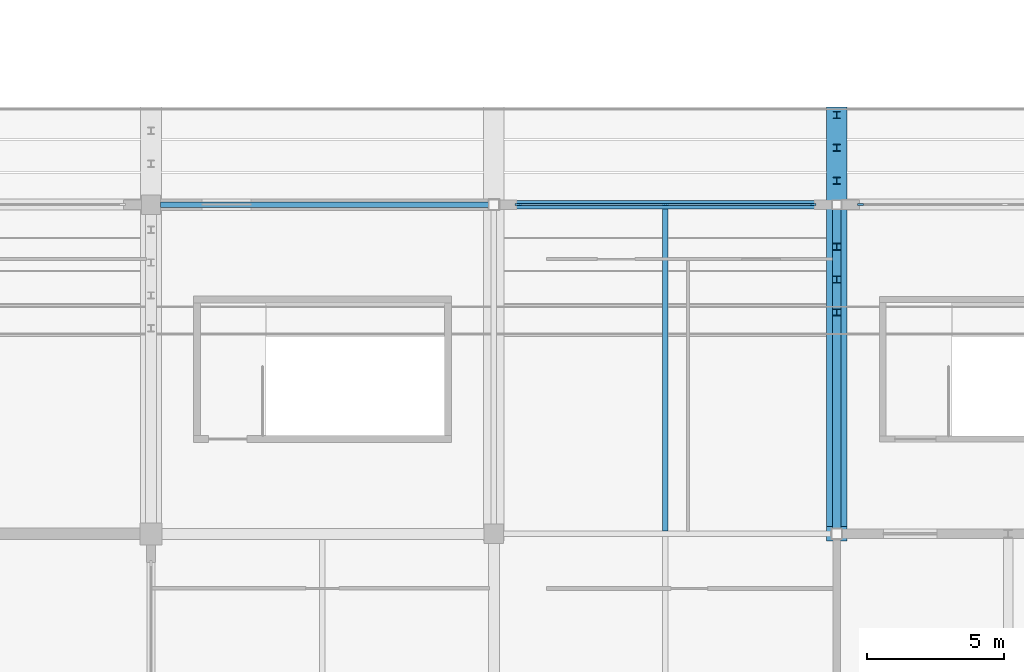
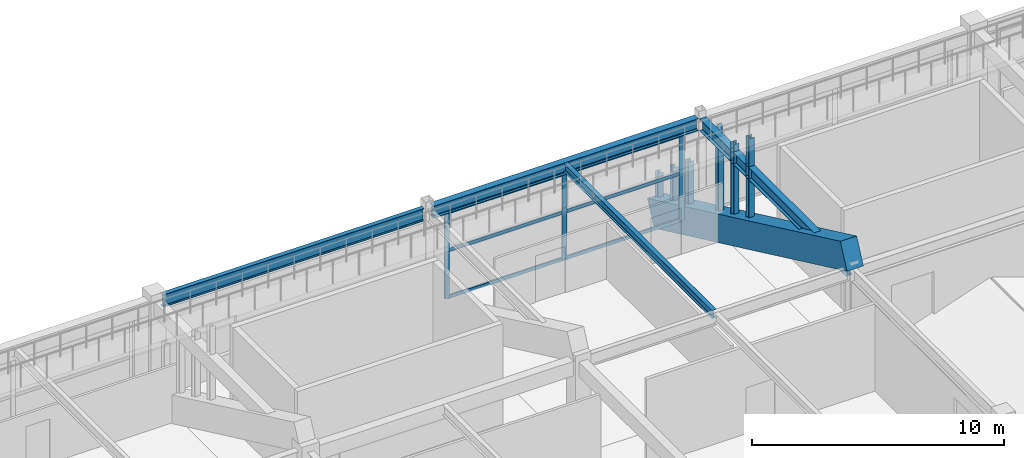
# One storey, part 47 of 128: 16 members, 5 beams, 2 elements without a shape of their own.
"""IFC4 building model written with IfcOpenShell, lengths in metres."""

from ifc_helpers import new_model, si_unit, direction, frame, origin, origin_2d, place, context, subcontext, project, spatial, rectangle, i_section, extrude, material, layer, layer_set, material_profile, profile_set, type_object, element, aggregate, save


model = new_model("IFC4")

# Units and contexts
model_context = context("Model", 3, precision=1e-05, world=origin(), true_north=direction((0.0, 1.0)))
body_context = subcontext(model_context, "Body", "Model", "MODEL_VIEW")
ifc_project = project(units=[si_unit("LENGTHUNIT", "METRE"), si_unit("AREAUNIT", "SQUARE_METRE"), si_unit("VOLUMEUNIT", "CUBIC_METRE"), si_unit("PLANEANGLEUNIT", "RADIAN"), si_unit("MASSUNIT", "GRAM", prefix="KILO")], contexts=[model_context])

# Site, building, storey
site_placement = place(None, origin())
site = spatial("IfcSite", under=ifc_project, at=site_placement, CompositionType="ELEMENT")
building_placement = place(site_placement, origin())
building = spatial("IfcBuilding", under=site, at=building_placement, Name="Kazenohara Klinker Stadium", CompositionType="ELEMENT")
storey_placement = place(building_placement, frame((0.0, 0.0, 15.300048828125)))
storey = spatial("IfcBuildingStorey", under=building, at=storey_placement, Name="L03", CompositionType="ELEMENT", Elevation=15.300048828125)

# Beams
ifc_material_1 = material(Name="Steel S355", Category="steel")
ifc_material_profile_1 = material_profile(ifc_material_1, i_section(OverallWidth=0.199951171875, OverallDepth=0.39990234375, WebThickness=0.008056640625, FlangeThickness=0.012939453125, FilletRadius=0.012939453125, at=origin_2d()), Name="H-400x200x8x13")
ifc_profile_set_1 = profile_set([ifc_material_profile_1], Name="Steel S355")
beam_type_1 = type_object("IfcBeamType", Name="BM-JST03", PredefinedType="JOIST", material=ifc_profile_set_1)
beam_1_placement = place(storey_placement, frame((143.75, 24.10009765625, 4.56005859375), z_axis=(0.0, 1.0, 0.0), x_axis=(-1.0, 0.0, 0.0)))
element("IfcBeam", 1, at=beam_1_placement, inside=storey, type_object=beam_type_1, Name="Secondary floor joist SJ03 L03 12/C", PredefinedType="JOIST", context=body_context, shape_type="SweptSolid", body=[
    extrude(i_section(OverallWidth=0.199951171875, OverallDepth=0.39990234375, WebThickness=0.008056640625, FlangeThickness=0.012939453125, FilletRadius=0.012939453125, at=origin_2d()), origin(), (0.0, 0.0, 1.0), 11.75),
])
ifc_material_profile_2 = material_profile(ifc_material_1, i_section(OverallWidth=0.199951171875, OverallDepth=0.60009765625, WebThickness=0.010986328125, FlangeThickness=0.01708984375, FilletRadius=0.012939453125, at=origin_2d()), Name="H-600x200x11x17")
ifc_profile_set_2 = profile_set([ifc_material_profile_2], Name="Steel S355")
beam_type_2 = type_object("IfcBeamType", Name="BM-ST04", PredefinedType="BEAM", material=ifc_profile_set_2)
beam_2_placement = place(storey_placement, frame((125.35009765625, 36.0, 4.4599609375), z_axis=(1.0, 0.0, 0.0), x_axis=(0.0, 1.0, 0.0)))
element("IfcBeam", 2, at=beam_2_placement, inside=storey, type_object=beam_type_2, Name="Primary girder SB04 L03 11-12/D", PredefinedType="BEAM", context=body_context, shape_type="SweptSolid", body=[
    extrude(i_section(OverallWidth=0.199951171875, OverallDepth=0.60009765625, WebThickness=0.010986328125, FlangeThickness=0.01708984375, FilletRadius=0.012939453125, at=origin_2d()), origin(), (0.0, 0.0, 1.0), 11.949951171875),
])
ifc_material_profile_3 = material_profile(ifc_material_1, i_section(OverallWidth=0.300048828125, OverallDepth=0.587890625, WebThickness=0.011962890625, FlangeThickness=0.02001953125, FilletRadius=0.02197265625, at=origin_2d()), Name="H-588x300x12x20")
ifc_profile_set_3 = profile_set([ifc_material_profile_3], Name="Steel S355")
beam_type_3 = type_object("IfcBeamType", Name="BM-ST05", PredefinedType="BEAM", material=ifc_profile_set_3)
beam_3_placement = place(storey_placement, frame((137.699951171875, 36.0, 4.466064453125), z_axis=(1.0, 0.0, 0.0), x_axis=(0.0, 1.0, 0.0)))
element("IfcBeam", 3, at=beam_3_placement, inside=storey, type_object=beam_type_3, Name="Primary girder SB05 L03 12-13/D", PredefinedType="BEAM", context=body_context, shape_type="SweptSolid", body=[
    extrude(i_section(OverallWidth=0.300048828125, OverallDepth=0.587890625, WebThickness=0.011962890625, FlangeThickness=0.02001953125, FilletRadius=0.02197265625, at=origin_2d()), origin(), (0.0, 0.0, 1.0), 12.125),
])
beam_4_placement = place(storey_placement, frame((150.0, 24.199951171875, 4.466064453125), z_axis=(0.0, 1.0, 0.0), x_axis=(-1.0, 0.0, 0.0)))
element("IfcBeam", 4, at=beam_4_placement, inside=storey, type_object=beam_type_3, Name="Primary girder SB05 L03 13/C-D", PredefinedType="BEAM", context=body_context, shape_type="SweptSolid", body=[
    extrude(i_section(OverallWidth=0.300048828125, OverallDepth=0.587890625, WebThickness=0.011962890625, FlangeThickness=0.02001953125, FilletRadius=0.02197265625, at=origin_2d()), origin(), (0.0, 0.0, 1.0), 11.625),
])

# Curtain wall, members
ifc_material_2 = material(Name="Anodised aluminium and triple glazing", Category="aluminium")
ifc_layer_1 = layer(ifc_material_2, 0.169921875)
ifc_layer_set_1 = layer_set([ifc_layer_1], Name="Anodised aluminium and triple glazing")
curtain_wall_type_1 = type_object("IfcCurtainWallType", Name="CW-SYS-04", PredefinedType="USERDEFINED", material=ifc_layer_set_1)
curtain_wall_1_placement = place(storey_placement, origin())
curtain_wall_1 = element("IfcCurtainWall", 5, at=curtain_wall_1_placement, inside=storey, type_object=curtain_wall_type_1, Name="Unitised facade curtain wall CW04 L03 X11-3", ObjectType="UNITISED CURTAIN WALL", PredefinedType="USERDEFINED")
ifc_material_3 = material(Name="Anodised aluminium 6063-T6", Category="aluminium")
ifc_material_profile_4 = material_profile(ifc_material_3, rectangle(XDim=0.074951171875, YDim=0.219970703125, at=origin_2d()), Name="ALU-MUL-75x220")
ifc_profile_set_4 = profile_set([ifc_material_profile_4], Name="Anodised aluminium 6063-T6")
member_type_1 = type_object("IfcMemberType", Name="CW-MUL-220", PredefinedType="MULLION", material=ifc_profile_set_4)
member_1_placement = place(storey_placement, frame((138.3916015625, 36.0, 0.0), z_axis=(0.0, 0.0, 1.0), x_axis=(0.0, 1.0, 0.0)))
member_1 = element("IfcMember", 6, at=member_1_placement, type_object=member_type_1, Name="CW04 mullion 1", PredefinedType="MULLION", context=body_context, shape_type="SweptSolid", body=[
    extrude(rectangle(XDim=0.074951171875, YDim=0.219970703125, at=origin_2d()), origin(), (0.0, 0.0, 1.0), 4.171875),
])
member_2_placement = place(storey_placement, frame((143.762451171875, 36.0, 0.0), z_axis=(0.0, 0.0, 1.0), x_axis=(0.0, 1.0, 0.0)))
member_2 = element("IfcMember", 7, at=member_2_placement, type_object=member_type_1, Name="CW04 mullion 2", PredefinedType="MULLION", context=body_context, shape_type="SweptSolid", body=[
    extrude(rectangle(XDim=0.074951171875, YDim=0.219970703125, at=origin_2d()), origin(), (0.0, 0.0, 1.0), 4.171875),
])
member_3_placement = place(storey_placement, frame((149.133544921875, 36.0, 0.0), z_axis=(0.0, 0.0, 1.0), x_axis=(0.0, 1.0, 0.0)))
member_3 = element("IfcMember", 8, at=member_3_placement, type_object=member_type_1, Name="CW04 mullion 3", PredefinedType="MULLION", context=body_context, shape_type="SweptSolid", body=[
    extrude(rectangle(XDim=0.074951171875, YDim=0.219970703125, at=origin_2d()), origin(), (0.0, 0.0, 1.0), 4.171875),
])

# Curtain wall, member
ifc_layer_2 = layer(ifc_material_2, 0.159912109375)
ifc_layer_set_2 = layer_set([ifc_layer_2], Name="Anodised aluminium and triple glazing")
curtain_wall_type_2 = type_object("IfcCurtainWallType", Name="CW-SYS-01", PredefinedType="USERDEFINED", material=ifc_layer_set_2)
curtain_wall_2_placement = place(storey_placement, origin())
curtain_wall_2 = element("IfcCurtainWall", 9, at=curtain_wall_2_placement, inside=storey, type_object=curtain_wall_type_2, Name="Unitised facade curtain wall CW01 L03 X12-3", ObjectType="UNITISED CURTAIN WALL", PredefinedType="USERDEFINED")
member_4_placement = place(storey_placement, frame((150.866455078125, 36.0, 0.0), z_axis=(0.0, 0.0, 1.0), x_axis=(0.0, 1.0, 0.0)))
member_4 = element("IfcMember", 10, at=member_4_placement, type_object=member_type_1, Name="CW01 mullion 1", PredefinedType="MULLION", context=body_context, shape_type="SweptSolid", body=[
    extrude(rectangle(XDim=0.074951171875, YDim=0.219970703125, at=origin_2d()), origin(), (0.0, 0.0, 1.0), 4.06005859375),
])
aggregate(curtain_wall_2, [member_4])

# Member
ifc_material_profile_5 = material_profile(ifc_material_3, rectangle(XDim=0.074951171875, YDim=0.159912109375, at=origin_2d()), Name="ALU-TRN-75x160")
ifc_profile_set_5 = profile_set([ifc_material_profile_5], Name="Anodised aluminium 6063-T6")
member_type_2 = type_object("IfcMemberType", Name="CW-TRN-160", PredefinedType="USERDEFINED", material=ifc_profile_set_5)
member_5_placement = place(storey_placement, frame((138.428955078125, 36.0, 0.037353515625), z_axis=(1.0, 0.0, 0.0), x_axis=(0.0, 1.0, 0.0)))
member_5 = element("IfcMember", 11, at=member_5_placement, type_object=member_type_2, Name="CW04 transom 1.1", ObjectType="TRANSOM", PredefinedType="USERDEFINED", context=body_context, shape_type="SweptSolid", body=[
    extrude(rectangle(XDim=0.074951171875, YDim=0.159912109375, at=origin_2d()), origin(), (0.0, 0.0, 1.0), 5.296142578125),
])

member_6_placement = place(storey_placement, frame((138.428955078125, 36.0, 2.29443359375), z_axis=(1.0, 0.0, 0.0), x_axis=(0.0, 1.0, 0.0)))
member_6 = element("IfcMember", 12, at=member_6_placement, type_object=member_type_2, Name="CW04 transom 1.2", ObjectType="TRANSOM", PredefinedType="USERDEFINED", context=body_context, shape_type="SweptSolid", body=[
    extrude(rectangle(XDim=0.074951171875, YDim=0.159912109375, at=origin_2d()), origin(), (0.0, 0.0, 1.0), 5.296142578125),
])

member_7_placement = place(storey_placement, frame((138.428955078125, 36.0, 4.134521484375), z_axis=(1.0, 0.0, 0.0), x_axis=(0.0, 1.0, 0.0)))
member_7 = element("IfcMember", 13, at=member_7_placement, type_object=member_type_2, Name="CW04 transom 1.3", ObjectType="TRANSOM", PredefinedType="USERDEFINED", context=body_context, shape_type="SweptSolid", body=[
    extrude(rectangle(XDim=0.074951171875, YDim=0.159912109375, at=origin_2d()), origin(), (0.0, 0.0, 1.0), 5.296142578125),
])

member_8_placement = place(storey_placement, frame((143.800048828125, 36.0, 0.037353515625), z_axis=(1.0, 0.0, 0.0), x_axis=(0.0, 1.0, 0.0)))
member_8 = element("IfcMember", 14, at=member_8_placement, type_object=member_type_2, Name="CW04 transom 2.1", ObjectType="TRANSOM", PredefinedType="USERDEFINED", context=body_context, shape_type="SweptSolid", body=[
    extrude(rectangle(XDim=0.074951171875, YDim=0.159912109375, at=origin_2d()), origin(), (0.0, 0.0, 1.0), 5.2958984375),
])

member_9_placement = place(storey_placement, frame((143.800048828125, 36.0, 2.29443359375), z_axis=(1.0, 0.0, 0.0), x_axis=(0.0, 1.0, 0.0)))
member_9 = element("IfcMember", 15, at=member_9_placement, type_object=member_type_2, Name="CW04 transom 2.2", ObjectType="TRANSOM", PredefinedType="USERDEFINED", context=body_context, shape_type="SweptSolid", body=[
    extrude(rectangle(XDim=0.074951171875, YDim=0.159912109375, at=origin_2d()), origin(), (0.0, 0.0, 1.0), 5.2958984375),
])

member_10_placement = place(storey_placement, frame((143.800048828125, 36.0, 4.134521484375), z_axis=(1.0, 0.0, 0.0), x_axis=(0.0, 1.0, 0.0)))
member_10 = element("IfcMember", 16, at=member_10_placement, type_object=member_type_2, Name="CW04 transom 2.3", ObjectType="TRANSOM", PredefinedType="USERDEFINED", context=body_context, shape_type="SweptSolid", body=[
    extrude(rectangle(XDim=0.074951171875, YDim=0.159912109375, at=origin_2d()), origin(), (0.0, 0.0, 1.0), 5.2958984375),
])

aggregate(curtain_wall_1, [member_1, member_2, member_3, member_5, member_6, member_7, member_8, member_9, member_10])

# Members
ifc_material_profile_6 = material_profile(ifc_material_1, i_section(OverallWidth=0.25, OverallDepth=0.25, WebThickness=0.009033203125, FlangeThickness=0.013916015625, FilletRadius=0.012939453125, at=origin_2d()), Name="H-250x250x9x14")
ifc_profile_set_6 = profile_set([ifc_material_profile_6], Name="Steel S355")
member_type_3 = type_object("IfcMemberType", Name="MEM-STR02", PredefinedType="STRUT", material=ifc_profile_set_6)
member_11_placement = place(storey_placement, frame((150.0, 32.070068359375, 2.04541015625), z_axis=(0.0, 0.0, 1.0), x_axis=(1.0, 0.0, 0.0)))
element("IfcMember", 17, at=member_11_placement, inside=storey, type_object=member_type_3, Name="Precast tier riser stool UPPER-S-01-12", PredefinedType="STRUT", context=body_context, shape_type="SweptSolid", body=[
    extrude(i_section(OverallWidth=0.25, OverallDepth=0.25, WebThickness=0.009033203125, FlangeThickness=0.013916015625, FilletRadius=0.012939453125, at=origin_2d()), origin(), (0.0, 0.0, 1.0), 4.074462890625),
])
member_12_placement = place(storey_placement, frame((150.0, 33.27001953125, 1.49853515625), z_axis=(0.0, 0.0, 1.0), x_axis=(1.0, 0.0, 0.0)))
element("IfcMember", 18, at=member_12_placement, inside=storey, type_object=member_type_3, Name="Precast tier riser stool UPPER-S-02-12", PredefinedType="STRUT", context=body_context, shape_type="SweptSolid", body=[
    extrude(i_section(OverallWidth=0.25, OverallDepth=0.25, WebThickness=0.009033203125, FlangeThickness=0.013916015625, FilletRadius=0.012939453125, at=origin_2d()), origin(), (0.0, 0.0, 1.0), 3.613037109375),
])
member_13_placement = place(storey_placement, frame((150.0, 34.469970703125, 0.95166015625), z_axis=(0.0, 0.0, 1.0), x_axis=(1.0, 0.0, 0.0)))
element("IfcMember", 19, at=member_13_placement, inside=storey, type_object=member_type_3, Name="Precast tier riser stool UPPER-S-03-12", PredefinedType="STRUT", context=body_context, shape_type="SweptSolid", body=[
    extrude(i_section(OverallWidth=0.25, OverallDepth=0.25, WebThickness=0.009033203125, FlangeThickness=0.013916015625, FilletRadius=0.012939453125, at=origin_2d()), origin(), (0.0, 0.0, 1.0), 3.151611328125),
])
member_14_placement = place(storey_placement, frame((150.0, 36.8701171875, -0.141845703125), z_axis=(0.0, 0.0, 1.0), x_axis=(1.0, 0.0, 0.0)))
element("IfcMember", 20, at=member_14_placement, inside=storey, type_object=member_type_3, Name="Precast tier riser stool UPPER-S-05-12", PredefinedType="STRUT", context=body_context, shape_type="SweptSolid", body=[
    extrude(i_section(OverallWidth=0.25, OverallDepth=0.25, WebThickness=0.009033203125, FlangeThickness=0.013916015625, FilletRadius=0.012939453125, at=origin_2d()), origin(), (0.0, 0.0, 1.0), 2.228515625),
])
member_15_placement = place(storey_placement, frame((150.0, 38.070068359375, -0.68896484375), z_axis=(0.0, 0.0, 1.0), x_axis=(1.0, 0.0, 0.0)))
element("IfcMember", 21, at=member_15_placement, inside=storey, type_object=member_type_3, Name="Precast tier riser stool UPPER-S-06-12", PredefinedType="STRUT", context=body_context, shape_type="SweptSolid", body=[
    extrude(i_section(OverallWidth=0.25, OverallDepth=0.25, WebThickness=0.009033203125, FlangeThickness=0.013916015625, FilletRadius=0.012939453125, at=origin_2d()), origin(), (0.0, 0.0, 1.0), 1.767333984375),
])
member_16_placement = place(storey_placement, frame((150.0, 39.27001953125, -1.235595703125), z_axis=(0.0, 0.0, 1.0), x_axis=(1.0, 0.0, 0.0)))
element("IfcMember", 22, at=member_16_placement, inside=storey, type_object=member_type_3, Name="Precast tier riser stool UPPER-S-07-12", PredefinedType="STRUT", context=body_context, shape_type="SweptSolid", body=[
    extrude(i_section(OverallWidth=0.25, OverallDepth=0.25, WebThickness=0.009033203125, FlangeThickness=0.013916015625, FilletRadius=0.012939453125, at=origin_2d()), origin(), (0.0, 0.0, 1.0), 1.3056640625),
])

# Beam
ifc_material_4 = material(Name="Precast concrete C50/60", Category="concrete")
ifc_material_profile_7 = material_profile(ifc_material_4, rectangle(XDim=0.75, YDim=1.25, at=origin_2d()), Name="PC-RAKER-750x1250")
ifc_profile_set_7 = profile_set([ifc_material_profile_7], Name="Precast concrete C50/60")
beam_type_4 = type_object("IfcBeamType", Name="RAKER-RK02", PredefinedType="USERDEFINED", material=ifc_profile_set_7)
beam_5_placement = place(storey_placement, frame((150.0, 24.0, 5.351318359375), z_axis=(0.0, 0.904820338238, -0.425793559734), x_axis=(-1.0, 0.0, 0.0)))
element("IfcBeam", 23, at=beam_5_placement, inside=storey, type_object=beam_type_4, Name="Precast bowl raker girder RK02 UPPER South 13", ObjectType="RAKER", PredefinedType="USERDEFINED", context=body_context, shape_type="SweptSolid", body=[
    extrude(rectangle(XDim=0.75, YDim=1.25, at=origin_2d()), origin(), (0.0, 0.0, 1.0), 16.909423828125),
])

save(model, "model.ifc")
